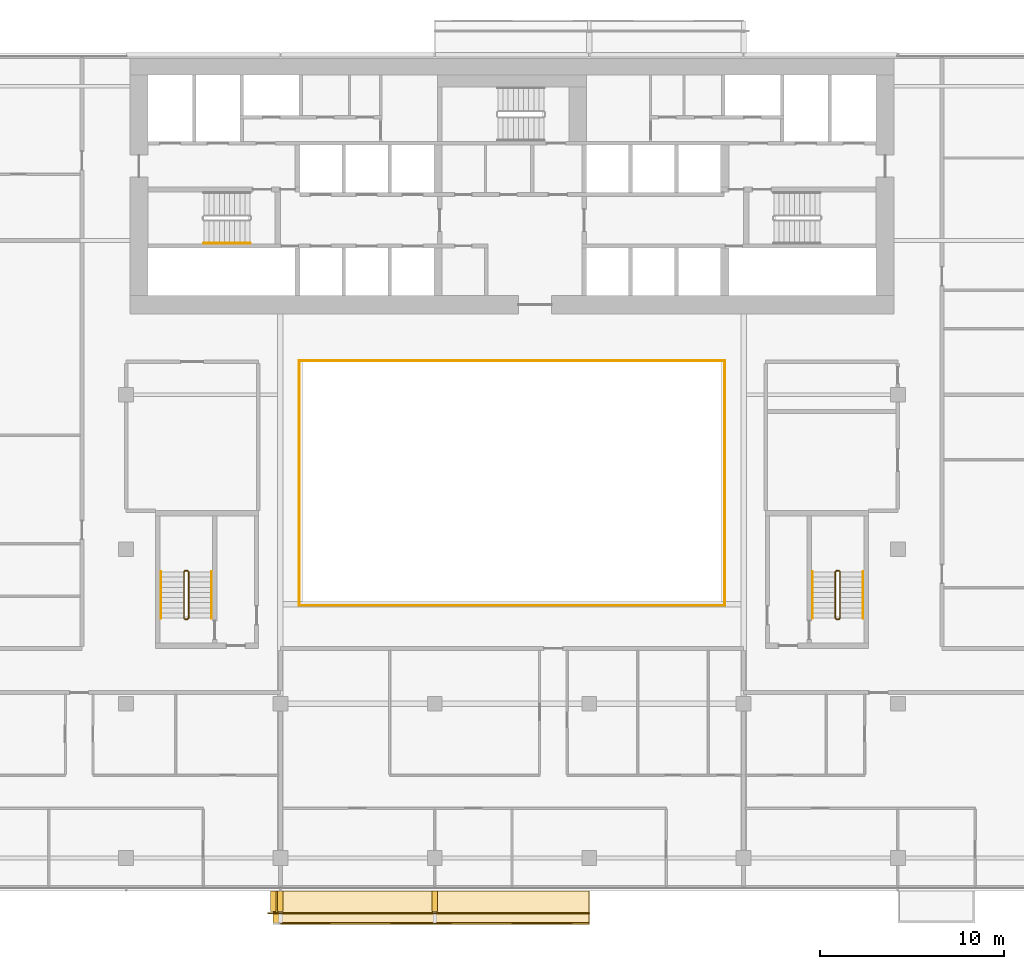
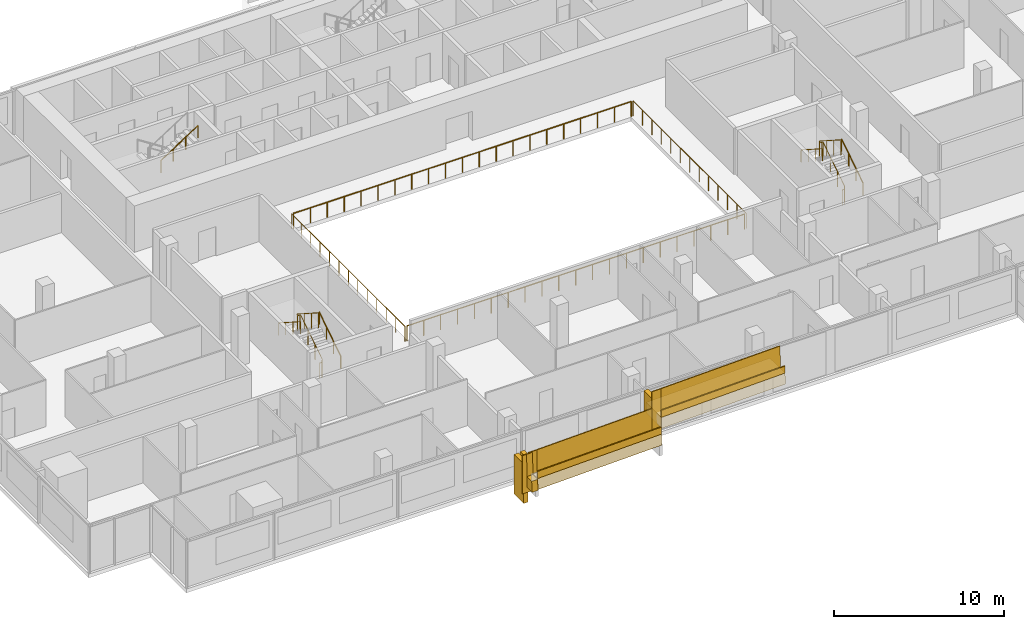
# One storey, part 25 of 26: 17 railings, 8 coverings.
"""IFC4 building model written with IfcOpenShell, lengths in metres."""

from ifc_helpers import new_model, si_unit, direction, frame, origin, origin_2d, place, context, subcontext, project, spatial, polyline, rectangle, circle, outline, extrude, material, layer, layer_set, type_object, element, save


model = new_model("IFC4")

# Units and contexts
model_context = context("Model", 3, precision=1e-05, world=origin(), true_north=direction((0.0, 1.0)))
body_context = subcontext(model_context, "Body", "Model", "MODEL_VIEW")
ifc_project = project(units=[si_unit("LENGTHUNIT", "METRE"), si_unit("AREAUNIT", "SQUARE_METRE"), si_unit("VOLUMEUNIT", "CUBIC_METRE"), si_unit("PLANEANGLEUNIT", "RADIAN"), si_unit("MASSUNIT", "GRAM", prefix="KILO")], contexts=[model_context])

# Site, building, storey
site_placement = place(None, origin())
site = spatial("IfcSite", under=ifc_project, at=site_placement, CompositionType="ELEMENT")
building_placement = place(site_placement, origin())
building = spatial("IfcBuilding", under=site, at=building_placement, Name="Saffron Gate Tower", CompositionType="ELEMENT")
storey_placement = place(building_placement, frame((0.0, 0.0, 120.449951171875)))
storey = spatial("IfcBuildingStorey", under=building, at=storey_placement, Name="L28", CompositionType="ELEMENT", Elevation=120.449951171875)

# Railings
ifc_material_1 = material(Name="Stainless steel and laminated glass", Category="steel")
railing_type_1 = type_object("IfcRailingType", Name="AG1 Atrium edge guard 1100", PredefinedType="GUARDRAIL", material=ifc_material_1)
railing_1_placement = place(storey_placement, frame((76.02001953125, 45.5400390625, 0.0)))
element("IfcRailing", 1, at=railing_1_placement, inside=storey, type_object=railing_type_1, Name="Guard B3-1", PredefinedType="GUARDRAIL", context=body_context, shape_type="SweptSolid", body=[
    extrude(circle(Radius=0.02392578125, at=origin_2d()), frame((0.0, 0.0, 1.076171875), z_axis=(0.0, 1.0, 0.0), x_axis=(-1.0, 0.0, 0.0)), (0.0, 0.0, 1.0), 13.320068359375),
    extrude(circle(Radius=0.02099609375, at=origin_2d()), origin(), (0.0, 0.0, 1.0), 1.052001953125),
    extrude(circle(Radius=0.02099609375, at=origin_2d()), frame((0.0, 1.110107421875, 0.0)), (0.0, 0.0, 1.0), 1.052001953125),
    extrude(circle(Radius=0.02099609375, at=origin_2d()), frame((0.0, 2.219970703125, 0.0)), (0.0, 0.0, 1.0), 1.052001953125),
    extrude(circle(Radius=0.02099609375, at=origin_2d()), frame((0.0, 3.330078125, 0.0)), (0.0, 0.0, 1.0), 1.052001953125),
    extrude(circle(Radius=0.02099609375, at=origin_2d()), frame((0.0, 4.43994140625, 0.0)), (0.0, 0.0, 1.0), 1.052001953125),
    extrude(circle(Radius=0.02099609375, at=origin_2d()), frame((0.0, 5.550048828125, 0.0)), (0.0, 0.0, 1.0), 1.052001953125),
    extrude(circle(Radius=0.02099609375, at=origin_2d()), frame((0.0, 6.66015625, 0.0)), (0.0, 0.0, 1.0), 1.052001953125),
    extrude(circle(Radius=0.02099609375, at=origin_2d()), frame((0.0, 7.77001953125, 0.0)), (0.0, 0.0, 1.0), 1.052001953125),
    extrude(circle(Radius=0.02099609375, at=origin_2d()), frame((0.0, 8.880126953125, 0.0)), (0.0, 0.0, 1.0), 1.052001953125),
    extrude(circle(Radius=0.02099609375, at=origin_2d()), frame((0.0, 9.989990234375, 0.0)), (0.0, 0.0, 1.0), 1.052001953125),
    extrude(circle(Radius=0.02099609375, at=origin_2d()), frame((0.0, 11.10009765625, 0.0)), (0.0, 0.0, 1.0), 1.052001953125),
    extrude(circle(Radius=0.02099609375, at=origin_2d()), frame((0.0, 12.2099609375, 0.0)), (0.0, 0.0, 1.0), 1.052001953125),
    extrude(circle(Radius=0.02099609375, at=origin_2d()), frame((0.0, 13.320068359375, 0.0)), (0.0, 0.0, 1.0), 1.052001953125),
])
railing_2_placement = place(storey_placement, frame((76.139892578125, 58.860107421875, 0.0)))
element("IfcRailing", 2, at=railing_2_placement, inside=storey, type_object=railing_type_1, Name="Guard B3-2", PredefinedType="GUARDRAIL", context=body_context, shape_type="SweptSolid", body=[
    extrude(circle(Radius=0.02392578125, at=origin_2d()), frame((0.0, 0.0, 1.076171875), z_axis=(1.0, 0.0, 0.0), x_axis=(0.0, 1.0, 0.0)), (0.0, 0.0, 1.0), 22.920166015625),
    extrude(circle(Radius=0.02099609375, at=origin_2d()), origin(), (0.0, 0.0, 1.0), 1.052001953125),
    extrude(circle(Radius=0.02099609375, at=origin_2d()), frame((1.14599609375, 0.0, 0.0)), (0.0, 0.0, 1.0), 1.052001953125),
    extrude(circle(Radius=0.02099609375, at=origin_2d()), frame((2.2919921875, 0.0, 0.0)), (0.0, 0.0, 1.0), 1.052001953125),
    extrude(circle(Radius=0.02099609375, at=origin_2d()), frame((3.43798828125, 0.0, 0.0)), (0.0, 0.0, 1.0), 1.052001953125),
    extrude(circle(Radius=0.02099609375, at=origin_2d()), frame((4.583984375, 0.0, 0.0)), (0.0, 0.0, 1.0), 1.052001953125),
    extrude(circle(Radius=0.02099609375, at=origin_2d()), frame((5.72998046875, 0.0, 0.0)), (0.0, 0.0, 1.0), 1.052001953125),
    extrude(circle(Radius=0.02099609375, at=origin_2d()), frame((6.8759765625, 0.0, 0.0)), (0.0, 0.0, 1.0), 1.052001953125),
    extrude(circle(Radius=0.02099609375, at=origin_2d()), frame((8.02197265625, 0.0, 0.0)), (0.0, 0.0, 1.0), 1.052001953125),
    extrude(circle(Radius=0.02099609375, at=origin_2d()), frame((9.16796875, 0.0, 0.0)), (0.0, 0.0, 1.0), 1.052001953125),
    extrude(circle(Radius=0.02099609375, at=origin_2d()), frame((10.31396484375, 0.0, 0.0)), (0.0, 0.0, 1.0), 1.052001953125),
    extrude(circle(Radius=0.02099609375, at=origin_2d()), frame((11.4599609375, 0.0, 0.0)), (0.0, 0.0, 1.0), 1.052001953125),
    extrude(circle(Radius=0.02099609375, at=origin_2d()), frame((12.606201171875, 0.0, 0.0)), (0.0, 0.0, 1.0), 1.052001953125),
    extrude(circle(Radius=0.02099609375, at=origin_2d()), frame((13.752197265625, 0.0, 0.0)), (0.0, 0.0, 1.0), 1.052001953125),
    extrude(circle(Radius=0.02099609375, at=origin_2d()), frame((14.898193359375, 0.0, 0.0)), (0.0, 0.0, 1.0), 1.052001953125),
    extrude(circle(Radius=0.02099609375, at=origin_2d()), frame((16.044189453125, 0.0, 0.0)), (0.0, 0.0, 1.0), 1.052001953125),
    extrude(circle(Radius=0.02099609375, at=origin_2d()), frame((17.190185546875, 0.0, 0.0)), (0.0, 0.0, 1.0), 1.052001953125),
    extrude(circle(Radius=0.02099609375, at=origin_2d()), frame((18.336181640625, 0.0, 0.0)), (0.0, 0.0, 1.0), 1.052001953125),
    extrude(circle(Radius=0.02099609375, at=origin_2d()), frame((19.482177734375, 0.0, 0.0)), (0.0, 0.0, 1.0), 1.052001953125),
    extrude(circle(Radius=0.02099609375, at=origin_2d()), frame((20.628173828125, 0.0, 0.0)), (0.0, 0.0, 1.0), 1.052001953125),
    extrude(circle(Radius=0.02099609375, at=origin_2d()), frame((21.774169921875, 0.0, 0.0)), (0.0, 0.0, 1.0), 1.052001953125),
    extrude(circle(Radius=0.02099609375, at=origin_2d()), frame((22.920166015625, 0.0, 0.0)), (0.0, 0.0, 1.0), 1.052001953125),
])
railing_3_placement = place(storey_placement, frame((99.179931640625, 58.860107421875, 0.0)))
element("IfcRailing", 3, at=railing_3_placement, inside=storey, type_object=railing_type_1, Name="Guard B3-3", PredefinedType="GUARDRAIL", context=body_context, shape_type="SweptSolid", body=[
    extrude(circle(Radius=0.02392578125, at=origin_2d()), frame((0.0, 0.0, 1.076171875), z_axis=(0.0, -1.0, 0.0), x_axis=(1.0, 0.0, 0.0)), (0.0, 0.0, 1.0), 13.320068359375),
    extrude(circle(Radius=0.02099609375, at=origin_2d()), origin(), (0.0, 0.0, 1.0), 1.052001953125),
    extrude(circle(Radius=0.02099609375, at=origin_2d()), frame((0.0, -1.110107421875, 0.0)), (0.0, 0.0, 1.0), 1.052001953125),
    extrude(circle(Radius=0.02099609375, at=origin_2d()), frame((0.0, -2.219970703125, 0.0)), (0.0, 0.0, 1.0), 1.052001953125),
    extrude(circle(Radius=0.02099609375, at=origin_2d()), frame((0.0, -3.330078125, 0.0)), (0.0, 0.0, 1.0), 1.052001953125),
    extrude(circle(Radius=0.02099609375, at=origin_2d()), frame((0.0, -4.43994140625, 0.0)), (0.0, 0.0, 1.0), 1.052001953125),
    extrude(circle(Radius=0.02099609375, at=origin_2d()), frame((0.0, -5.550048828125, 0.0)), (0.0, 0.0, 1.0), 1.052001953125),
    extrude(circle(Radius=0.02099609375, at=origin_2d()), frame((0.0, -6.66015625, 0.0)), (0.0, 0.0, 1.0), 1.052001953125),
    extrude(circle(Radius=0.02099609375, at=origin_2d()), frame((0.0, -7.77001953125, 0.0)), (0.0, 0.0, 1.0), 1.052001953125),
    extrude(circle(Radius=0.02099609375, at=origin_2d()), frame((0.0, -8.880126953125, 0.0)), (0.0, 0.0, 1.0), 1.052001953125),
    extrude(circle(Radius=0.02099609375, at=origin_2d()), frame((0.0, -9.989990234375, 0.0)), (0.0, 0.0, 1.0), 1.052001953125),
    extrude(circle(Radius=0.02099609375, at=origin_2d()), frame((0.0, -11.10009765625, 0.0)), (0.0, 0.0, 1.0), 1.052001953125),
    extrude(circle(Radius=0.02099609375, at=origin_2d()), frame((0.0, -12.2099609375, 0.0)), (0.0, 0.0, 1.0), 1.052001953125),
    extrude(circle(Radius=0.02099609375, at=origin_2d()), frame((0.0, -13.320068359375, 0.0)), (0.0, 0.0, 1.0), 1.052001953125),
])
railing_4_placement = place(storey_placement, frame((99.06005859375, 45.5400390625, 0.0)))
element("IfcRailing", 4, at=railing_4_placement, inside=storey, type_object=railing_type_1, Name="Guard B3-4", PredefinedType="GUARDRAIL", context=body_context, shape_type="SweptSolid", body=[
    extrude(circle(Radius=0.02392578125, at=origin_2d()), frame((0.0, 0.0, 1.076171875), z_axis=(-1.0, 0.0, 0.0), x_axis=(0.0, -1.0, 0.0)), (0.0, 0.0, 1.0), 22.920166015625),
    extrude(circle(Radius=0.02099609375, at=origin_2d()), origin(), (0.0, 0.0, 1.0), 1.052001953125),
    extrude(circle(Radius=0.02099609375, at=origin_2d()), frame((-1.14599609375, 0.0, 0.0)), (0.0, 0.0, 1.0), 1.052001953125),
    extrude(circle(Radius=0.02099609375, at=origin_2d()), frame((-2.2919921875, 0.0, 0.0)), (0.0, 0.0, 1.0), 1.052001953125),
    extrude(circle(Radius=0.02099609375, at=origin_2d()), frame((-3.43798828125, 0.0, 0.0)), (0.0, 0.0, 1.0), 1.052001953125),
    extrude(circle(Radius=0.02099609375, at=origin_2d()), frame((-4.583984375, 0.0, 0.0)), (0.0, 0.0, 1.0), 1.052001953125),
    extrude(circle(Radius=0.02099609375, at=origin_2d()), frame((-5.72998046875, 0.0, 0.0)), (0.0, 0.0, 1.0), 1.052001953125),
    extrude(circle(Radius=0.02099609375, at=origin_2d()), frame((-6.8759765625, 0.0, 0.0)), (0.0, 0.0, 1.0), 1.052001953125),
    extrude(circle(Radius=0.02099609375, at=origin_2d()), frame((-8.02197265625, 0.0, 0.0)), (0.0, 0.0, 1.0), 1.052001953125),
    extrude(circle(Radius=0.02099609375, at=origin_2d()), frame((-9.16796875, 0.0, 0.0)), (0.0, 0.0, 1.0), 1.052001953125),
    extrude(circle(Radius=0.02099609375, at=origin_2d()), frame((-10.31396484375, 0.0, 0.0)), (0.0, 0.0, 1.0), 1.052001953125),
    extrude(circle(Radius=0.02099609375, at=origin_2d()), frame((-11.4599609375, 0.0, 0.0)), (0.0, 0.0, 1.0), 1.052001953125),
    extrude(circle(Radius=0.02099609375, at=origin_2d()), frame((-12.606201171875, 0.0, 0.0)), (0.0, 0.0, 1.0), 1.052001953125),
    extrude(circle(Radius=0.02099609375, at=origin_2d()), frame((-13.752197265625, 0.0, 0.0)), (0.0, 0.0, 1.0), 1.052001953125),
    extrude(circle(Radius=0.02099609375, at=origin_2d()), frame((-14.898193359375, 0.0, 0.0)), (0.0, 0.0, 1.0), 1.052001953125),
    extrude(circle(Radius=0.02099609375, at=origin_2d()), frame((-16.044189453125, 0.0, 0.0)), (0.0, 0.0, 1.0), 1.052001953125),
    extrude(circle(Radius=0.02099609375, at=origin_2d()), frame((-17.190185546875, 0.0, 0.0)), (0.0, 0.0, 1.0), 1.052001953125),
    extrude(circle(Radius=0.02099609375, at=origin_2d()), frame((-18.336181640625, 0.0, 0.0)), (0.0, 0.0, 1.0), 1.052001953125),
    extrude(circle(Radius=0.02099609375, at=origin_2d()), frame((-19.482177734375, 0.0, 0.0)), (0.0, 0.0, 1.0), 1.052001953125),
    extrude(circle(Radius=0.02099609375, at=origin_2d()), frame((-20.628173828125, 0.0, 0.0)), (0.0, 0.0, 1.0), 1.052001953125),
    extrude(circle(Radius=0.02099609375, at=origin_2d()), frame((-21.774169921875, 0.0, 0.0)), (0.0, 0.0, 1.0), 1.052001953125),
    extrude(circle(Radius=0.02099609375, at=origin_2d()), frame((-22.920166015625, 0.0, 0.0)), (0.0, 0.0, 1.0), 1.052001953125),
])
railing_type_2 = type_object("IfcRailingType", Name="CR1 Stair guard 1100", PredefinedType="GUARDRAIL", material=ifc_material_1)
railing_5_placement = place(storey_placement, frame((69.800048828125, 44.800048828125, 0.0)))
element("IfcRailing", 5, at=railing_5_placement, inside=storey, type_object=railing_type_2, Name="L28 ST-D stair guard 1", PredefinedType="GUARDRAIL", context=body_context, shape_type="SweptSolid", body=[
    extrude(circle(Radius=0.02392578125, at=origin_2d()), frame((0.0, 0.0, 1.076171875), z_axis=(1.0, 0.0, 0.0), x_axis=(0.0, 1.0, 0.0)), (0.0, 0.0, 1.0), 0.14990234375),
    extrude(circle(Radius=0.02392578125, at=origin_2d()), frame((0.14990234375, 0.0, 1.076171875), z_axis=(0.258847668887, 0.258847668887, 0.930588936439), x_axis=(-0.707106781187, 0.707106781187, 0.0)), (0.0, 0.0, 1.0), 0.193359375),
    extrude(circle(Radius=0.02392578125, at=origin_2d()), frame((0.199951171875, 0.050048828125, 1.255859375), z_axis=(0.0, 0.841162588446, 0.540782303519), x_axis=(-1.0, 0.0, 0.0)), (0.0, 0.0, 1.0), 2.995849609375),
    extrude(circle(Radius=0.02392578125, at=origin_2d()), frame((0.199951171875, 2.570068359375, 2.8759765625), z_axis=(-0.708833529934, 0.705375805398, 0.0), x_axis=(-0.705375805398, -0.708833529934, 0.0)), (0.0, 0.0, 1.0), 0.070556640625),
    extrude(circle(Radius=0.02392578125, at=origin_2d()), frame((0.14990234375, 2.619873046875, 2.8759765625), z_axis=(-1.0, 0.0, 0.0), x_axis=(0.0, -1.0, 0.0)), (0.0, 0.0, 1.0), 0.14990234375),
    extrude(circle(Radius=0.02392578125, at=origin_2d()), frame((0.0, 2.619873046875, 2.8759765625), z_axis=(-0.258932105505, -0.257669022063, 0.930892496375), x_axis=(0.705375805398, -0.708833529934, 0.0)), (0.0, 0.0, 1.0), 0.193359375),
    extrude(circle(Radius=0.02392578125, at=origin_2d()), frame((-0.050048828125, 2.570068359375, 3.05615234375), z_axis=(0.0, -0.841162588446, 0.540782303519), x_axis=(1.0, 0.0, 0.0)), (0.0, 0.0, 1.0), 2.995849609375),
    extrude(circle(Radius=0.02099609375, at=origin_2d()), origin(), (0.0, 0.0, 1.0), 1.052001953125),
    extrude(circle(Radius=0.02099609375, at=origin_2d()), frame((0.14990234375, 0.0, 0.0)), (0.0, 0.0, 1.0), 1.052001953125),
    extrude(circle(Radius=0.02099609375, at=origin_2d()), frame((0.199951171875, 0.050048828125, 0.179931640625)), (0.0, 0.0, 1.0), 1.052001953125),
    extrude(circle(Radius=0.02099609375, at=origin_2d()), frame((0.199951171875, 0.89013671875, 0.719970703125)), (0.0, 0.0, 1.0), 1.052001953125),
    extrude(circle(Radius=0.02099609375, at=origin_2d()), frame((0.199951171875, 1.72998046875, 1.260009765625)), (0.0, 0.0, 1.0), 1.052001953125),
    extrude(circle(Radius=0.02099609375, at=origin_2d()), frame((0.199951171875, 2.570068359375, 1.800048828125)), (0.0, 0.0, 1.0), 1.052001953125),
    extrude(circle(Radius=0.02099609375, at=origin_2d()), frame((0.14990234375, 2.619873046875, 1.800048828125)), (0.0, 0.0, 1.0), 1.052001953125),
    extrude(circle(Radius=0.02099609375, at=origin_2d()), frame((0.0, 2.619873046875, 1.800048828125)), (0.0, 0.0, 1.0), 1.052001953125),
    extrude(circle(Radius=0.02099609375, at=origin_2d()), frame((-0.050048828125, 2.570068359375, 1.97998046875)), (0.0, 0.0, 1.0), 1.052001953125),
    extrude(circle(Radius=0.02099609375, at=origin_2d()), frame((-0.050048828125, 1.72998046875, 2.52001953125)), (0.0, 0.0, 1.0), 1.052001953125),
    extrude(circle(Radius=0.02099609375, at=origin_2d()), frame((-0.050048828125, 0.89013671875, 3.06005859375)), (0.0, 0.0, 1.0), 1.052001953125),
    extrude(circle(Radius=0.02099609375, at=origin_2d()), frame((-0.050048828125, 0.050048828125, 3.60009765625)), (0.0, 0.0, 1.0), 1.052001953125),
])
railing_6_placement = place(storey_placement, frame((105.25, 44.800048828125, 0.0)))
element("IfcRailing", 6, at=railing_6_placement, inside=storey, type_object=railing_type_2, Name="L28 ST-E stair guard 1", PredefinedType="GUARDRAIL", context=body_context, shape_type="SweptSolid", body=[
    extrude(circle(Radius=0.02392578125, at=origin_2d()), frame((0.0, 0.0, 1.076171875), z_axis=(1.0, 0.0, 0.0), x_axis=(0.0, 1.0, 0.0)), (0.0, 0.0, 1.0), 0.14990234375),
    extrude(circle(Radius=0.02392578125, at=origin_2d()), frame((0.14990234375, 0.0, 1.076171875), z_axis=(0.258847668887, 0.258847668887, 0.930588936439), x_axis=(-0.707106781187, 0.707106781187, 0.0)), (0.0, 0.0, 1.0), 0.193359375),
    extrude(circle(Radius=0.02392578125, at=origin_2d()), frame((0.199951171875, 0.050048828125, 1.255859375), z_axis=(0.0, 0.841162588446, 0.540782303519), x_axis=(-1.0, 0.0, 0.0)), (0.0, 0.0, 1.0), 2.995849609375),
    extrude(circle(Radius=0.02392578125, at=origin_2d()), frame((0.199951171875, 2.570068359375, 2.8759765625), z_axis=(-0.708833529934, 0.705375805398, 0.0), x_axis=(-0.705375805398, -0.708833529934, 0.0)), (0.0, 0.0, 1.0), 0.070556640625),
    extrude(circle(Radius=0.02392578125, at=origin_2d()), frame((0.14990234375, 2.619873046875, 2.8759765625), z_axis=(-1.0, 0.0, 0.0), x_axis=(0.0, -1.0, 0.0)), (0.0, 0.0, 1.0), 0.14990234375),
    extrude(circle(Radius=0.02392578125, at=origin_2d()), frame((0.0, 2.619873046875, 2.8759765625), z_axis=(-0.258932105505, -0.257669022063, 0.930892496375), x_axis=(0.705375805398, -0.708833529934, 0.0)), (0.0, 0.0, 1.0), 0.193359375),
    extrude(circle(Radius=0.02392578125, at=origin_2d()), frame((-0.050048828125, 2.570068359375, 3.05615234375), z_axis=(0.0, -0.841162588446, 0.540782303519), x_axis=(1.0, 0.0, 0.0)), (0.0, 0.0, 1.0), 2.995849609375),
    extrude(circle(Radius=0.02099609375, at=origin_2d()), origin(), (0.0, 0.0, 1.0), 1.052001953125),
    extrude(circle(Radius=0.02099609375, at=origin_2d()), frame((0.14990234375, 0.0, 0.0)), (0.0, 0.0, 1.0), 1.052001953125),
    extrude(circle(Radius=0.02099609375, at=origin_2d()), frame((0.199951171875, 0.050048828125, 0.179931640625)), (0.0, 0.0, 1.0), 1.052001953125),
    extrude(circle(Radius=0.02099609375, at=origin_2d()), frame((0.199951171875, 0.89013671875, 0.719970703125)), (0.0, 0.0, 1.0), 1.052001953125),
    extrude(circle(Radius=0.02099609375, at=origin_2d()), frame((0.199951171875, 1.72998046875, 1.260009765625)), (0.0, 0.0, 1.0), 1.052001953125),
    extrude(circle(Radius=0.02099609375, at=origin_2d()), frame((0.199951171875, 2.570068359375, 1.800048828125)), (0.0, 0.0, 1.0), 1.052001953125),
    extrude(circle(Radius=0.02099609375, at=origin_2d()), frame((0.14990234375, 2.619873046875, 1.800048828125)), (0.0, 0.0, 1.0), 1.052001953125),
    extrude(circle(Radius=0.02099609375, at=origin_2d()), frame((0.0, 2.619873046875, 1.800048828125)), (0.0, 0.0, 1.0), 1.052001953125),
    extrude(circle(Radius=0.02099609375, at=origin_2d()), frame((-0.050048828125, 2.570068359375, 1.97998046875)), (0.0, 0.0, 1.0), 1.052001953125),
    extrude(circle(Radius=0.02099609375, at=origin_2d()), frame((-0.050048828125, 1.72998046875, 2.52001953125)), (0.0, 0.0, 1.0), 1.052001953125),
    extrude(circle(Radius=0.02099609375, at=origin_2d()), frame((-0.050048828125, 0.89013671875, 3.06005859375)), (0.0, 0.0, 1.0), 1.052001953125),
    extrude(circle(Radius=0.02099609375, at=origin_2d()), frame((-0.050048828125, 0.050048828125, 3.60009765625)), (0.0, 0.0, 1.0), 1.052001953125),
])
ifc_material_2 = material(Name="Stainless steel", Category="steel")
railing_type_3 = type_object("IfcRailingType", Name="CR2 Stair handrail 900", PredefinedType="HANDRAIL", material=ifc_material_2)
railing_7_placement = place(storey_placement, frame((70.830078125, 65.25, 1.97998046875)))
element("IfcRailing", 7, at=railing_7_placement, inside=storey, type_object=railing_type_3, Name="L28 ST-A stair handrail 2", PredefinedType="HANDRAIL", context=body_context, shape_type="SweptSolid", body=[
    extrude(circle(Radius=0.02392578125, at=origin_2d()), frame((0.0, 0.0, 0.8759765625), z_axis=(0.841162588446, 0.0, 0.540782303519), x_axis=(0.0, 1.0, 0.0)), (0.0, 0.0, 1.0), 2.995849609375),
    extrude(circle(Radius=0.02099609375, at=origin_2d()), origin(), (0.0, 0.0, 1.0), 0.851806640625),
    extrude(circle(Radius=0.02099609375, at=origin_2d()), frame((0.840087890625, 0.0, 0.5400390625)), (0.0, 0.0, 1.0), 0.851806640625),
    extrude(circle(Radius=0.02099609375, at=origin_2d()), frame((1.679931640625, 0.0, 1.080078125)), (0.0, 0.0, 1.0), 0.851806640625),
    extrude(circle(Radius=0.02099609375, at=origin_2d()), frame((2.52001953125, 0.0, 1.6201171875)), (0.0, 0.0, 1.0), 0.851806640625),
])
railing_8_placement = place(storey_placement, frame((71.25, 44.85009765625, 0.179931640625)))
element("IfcRailing", 8, at=railing_8_placement, inside=storey, type_object=railing_type_3, Name="L28 ST-D stair handrail 1", PredefinedType="HANDRAIL", context=body_context, shape_type="SweptSolid", body=[
    extrude(circle(Radius=0.02392578125, at=origin_2d()), frame((0.0, 0.0, 0.8759765625), z_axis=(0.0, 0.841162588446, 0.540782303519), x_axis=(-1.0, 0.0, 0.0)), (0.0, 0.0, 1.0), 2.995849609375),
    extrude(circle(Radius=0.02099609375, at=origin_2d()), origin(), (0.0, 0.0, 1.0), 0.851806640625),
    extrude(circle(Radius=0.02099609375, at=origin_2d()), frame((0.0, 0.840087890625, 0.5400390625)), (0.0, 0.0, 1.0), 0.851806640625),
    extrude(circle(Radius=0.02099609375, at=origin_2d()), frame((0.0, 1.679931640625, 1.080078125)), (0.0, 0.0, 1.0), 0.851806640625),
    extrude(circle(Radius=0.02099609375, at=origin_2d()), frame((0.0, 2.52001953125, 1.6201171875)), (0.0, 0.0, 1.0), 0.851806640625),
])
railing_9_placement = place(storey_placement, frame((68.5, 47.3701171875, 1.97998046875)))
element("IfcRailing", 9, at=railing_9_placement, inside=storey, type_object=railing_type_3, Name="L28 ST-D stair handrail 2", PredefinedType="HANDRAIL", context=body_context, shape_type="SweptSolid", body=[
    extrude(circle(Radius=0.02392578125, at=origin_2d()), frame((0.0, 0.0, 0.8759765625), z_axis=(0.0, -0.841162588446, 0.540782303519), x_axis=(1.0, 0.0, 0.0)), (0.0, 0.0, 1.0), 2.995849609375),
    extrude(circle(Radius=0.02099609375, at=origin_2d()), origin(), (0.0, 0.0, 1.0), 0.851806640625),
    extrude(circle(Radius=0.02099609375, at=origin_2d()), frame((0.0, -0.840087890625, 0.5400390625)), (0.0, 0.0, 1.0), 0.851806640625),
    extrude(circle(Radius=0.02099609375, at=origin_2d()), frame((0.0, -1.679931640625, 1.080078125)), (0.0, 0.0, 1.0), 0.851806640625),
    extrude(circle(Radius=0.02099609375, at=origin_2d()), frame((0.0, -2.52001953125, 1.6201171875)), (0.0, 0.0, 1.0), 0.851806640625),
])
railing_10_placement = place(storey_placement, frame((106.699951171875, 44.85009765625, 0.179931640625)))
element("IfcRailing", 10, at=railing_10_placement, inside=storey, type_object=railing_type_3, Name="L28 ST-E stair handrail 1", PredefinedType="HANDRAIL", context=body_context, shape_type="SweptSolid", body=[
    extrude(circle(Radius=0.02392578125, at=origin_2d()), frame((0.0, 0.0, 0.8759765625), z_axis=(0.0, 0.841162588446, 0.540782303519), x_axis=(-1.0, 0.0, 0.0)), (0.0, 0.0, 1.0), 2.995849609375),
    extrude(circle(Radius=0.02099609375, at=origin_2d()), origin(), (0.0, 0.0, 1.0), 0.851806640625),
    extrude(circle(Radius=0.02099609375, at=origin_2d()), frame((0.0, 0.840087890625, 0.5400390625)), (0.0, 0.0, 1.0), 0.851806640625),
    extrude(circle(Radius=0.02099609375, at=origin_2d()), frame((0.0, 1.679931640625, 1.080078125)), (0.0, 0.0, 1.0), 0.851806640625),
    extrude(circle(Radius=0.02099609375, at=origin_2d()), frame((0.0, 2.52001953125, 1.6201171875)), (0.0, 0.0, 1.0), 0.851806640625),
])
railing_11_placement = place(storey_placement, frame((103.949951171875, 47.3701171875, 1.97998046875)))
element("IfcRailing", 11, at=railing_11_placement, inside=storey, type_object=railing_type_3, Name="L28 ST-E stair handrail 2", PredefinedType="HANDRAIL", context=body_context, shape_type="SweptSolid", body=[
    extrude(circle(Radius=0.02392578125, at=origin_2d()), frame((0.0, 0.0, 0.8759765625), z_axis=(0.0, -0.841162588446, 0.540782303519), x_axis=(1.0, 0.0, 0.0)), (0.0, 0.0, 1.0), 2.995849609375),
    extrude(circle(Radius=0.02099609375, at=origin_2d()), origin(), (0.0, 0.0, 1.0), 0.851806640625),
    extrude(circle(Radius=0.02099609375, at=origin_2d()), frame((0.0, -0.840087890625, 0.5400390625)), (0.0, 0.0, 1.0), 0.851806640625),
    extrude(circle(Radius=0.02099609375, at=origin_2d()), frame((0.0, -1.679931640625, 1.080078125)), (0.0, 0.0, 1.0), 0.851806640625),
    extrude(circle(Radius=0.02099609375, at=origin_2d()), frame((0.0, -2.52001953125, 1.6201171875)), (0.0, 0.0, 1.0), 0.851806640625),
])

# Coverings
ifc_material_3 = material(Name="Timber, thermally modified ash", Category="wood")
ifc_layer_1 = layer(ifc_material_3, 0.800048828125)
ifc_layer_set_1 = layer_set([ifc_layer_1], Name="LD1 ledge timber")
covering_type_1 = type_object("IfcCoveringType", Name="LD1 ledge timber", PredefinedType="CLADDING", material=ifc_layer_set_1)
covering_1_placement = place(storey_placement, frame((74.60009765625, 30.0, 0.975341796875), z_axis=(-0.028681724025, 0.0, 0.999588594726), x_axis=(0.999588594726, 0.0, 0.028681724025)))
element("IfcCovering", 12, at=covering_1_placement, inside=storey, type_object=covering_type_1, Name="LEDGE", PredefinedType="CLADDING", context=body_context, shape_type="SweptSolid", body=[
    extrude(outline(polyline([(0.0, 0.0), (0.40006693339621563, 0.0), (0.40006693339621563, -1.8000488281250004), (0.0, -1.8000488281250004), (0.0, 0.0)])), origin(), (0.0, 0.0, -1.0), 0.800048828125),
])
covering_2_placement = place(storey_placement, frame((75.0, 30.0, 1.0439453125), z_axis=(-0.028791175352, 0.0, 0.999585448184), x_axis=(0.999585448184, 0.0, 0.028791175352)))
element("IfcCovering", 13, at=covering_2_placement, inside=storey, type_object=covering_type_1, Name="LEDGE", PredefinedType="CLADDING", context=body_context, shape_type="SweptSolid", body=[
    extrude(outline(polyline([(0.0, 0.0), (8.403385982666892, 0.0), (8.403385982666892, -1.800048828125), (0.0, -1.800048828125), (0.0, 0.0)])), origin(), (0.0, 0.0, -1.0), 0.800048828125),
])
covering_3_placement = place(storey_placement, frame((83.39990234375, 30.0, 2.486328125), z_axis=(-0.028790339263, 0.0, 0.999585472266), x_axis=(0.999585472266, 0.0, 0.028790339263)))
element("IfcCovering", 14, at=covering_3_placement, inside=storey, type_object=covering_type_1, Name="LEDGE", PredefinedType="CLADDING", context=body_context, shape_type="SweptSolid", body=[
    extrude(outline(polyline([(0.0, 0.0), (8.403630022085892, 0.0), (8.403630022085892, -1.800048828125), (0.0, -1.800048828125), (0.0, 0.0)])), origin(), (0.0, 0.0, -1.0), 0.800048828125),
])
ifc_layer_2 = layer(ifc_material_3, 0.080078125)
ifc_layer_set_2 = layer_set([ifc_layer_2], Name="LD2 ledge planter trough")
covering_type_2 = type_object("IfcCoveringType", Name="LD2 ledge planter trough", PredefinedType="CLADDING", material=ifc_layer_set_2)
covering_4_placement = place(storey_placement, frame((75.0, 28.199951171875, 1.0439453125), z_axis=(0.0, -1.0, 0.0), x_axis=(0.999585448184, 0.0, 0.028791175352)))
element("IfcCovering", 15, at=covering_4_placement, inside=storey, type_object=covering_type_2, Name="LEDGE planter trough", PredefinedType="CLADDING", context=body_context, shape_type="SweptSolid", body=[
    extrude(outline(polyline([(0.0, 0.0), (8.403385982666892, 0.0), (8.417781570342743, 0.49979272409216496), (0.014395587675851172, 0.4997927240921649), (0.0, 0.0)])), origin(), (0.0, 0.0, -1.0), 0.080078125),
])
covering_5_placement = place(storey_placement, frame((83.39990234375, 28.199951171875, 2.486328125), z_axis=(0.0, -1.0, 0.0), x_axis=(0.999585472266, 0.0, 0.028790339263)))
element("IfcCovering", 16, at=covering_5_placement, inside=storey, type_object=covering_type_2, Name="LEDGE planter trough", PredefinedType="CLADDING", context=body_context, shape_type="SweptSolid", body=[
    extrude(outline(polyline([(0.0, 0.0), (8.403630022085892, 0.0), (8.418025191717298, 0.4997927361329725), (0.014395169631405694, 0.4997927361329725), (0.0, 0.0)])), origin(), (0.0, 0.0, -1.0), 0.080078125),
])
ifc_layer_3 = layer(ifc_material_3, 0.300048828125)
ifc_layer_set_3 = layer_set([ifc_layer_3], Name="LD3 ledge riser fin")
covering_type_3 = type_object("IfcCoveringType", Name="LD3 ledge riser fin", PredefinedType="CLADDING", material=ifc_layer_set_3)
covering_6_placement = place(storey_placement, frame((74.60009765625, 29.43994140625, -0.968017578125), z_axis=(0.0, 0.0, 1.0), x_axis=(1.0, 0.0, 0.0)))
element("IfcCovering", 17, at=covering_6_placement, inside=storey, type_object=covering_type_3, Name="LEDGE riser fin", PredefinedType="CLADDING", context=body_context, shape_type="SweptSolid", body=[
    extrude(rectangle(XDim=0.300048828125, YDim=1.1201171875, at=origin_2d()), origin(), (0.0, 0.0, 1.0), 2.84326171875),
])
covering_7_placement = place(storey_placement, frame((75.0, 29.43994140625, 0.18701171875), z_axis=(0.0, 0.0, 1.0), x_axis=(1.0, 0.0, 0.0)))
element("IfcCovering", 18, at=covering_7_placement, inside=storey, type_object=covering_type_3, Name="LEDGE riser fin", PredefinedType="CLADDING", context=body_context, shape_type="SweptSolid", body=[
    extrude(rectangle(XDim=0.300048828125, YDim=1.1201171875, at=origin_2d()), origin(), (0.0, 0.0, 1.0), 1.757080078125),
])
covering_8_placement = place(storey_placement, frame((83.39990234375, 29.43994140625, 0.48583984375), z_axis=(0.0, 0.0, 1.0), x_axis=(1.0, 0.0, 0.0)))
element("IfcCovering", 19, at=covering_8_placement, inside=storey, type_object=covering_type_3, Name="LEDGE riser fin", PredefinedType="CLADDING", context=body_context, shape_type="SweptSolid", body=[
    extrude(rectangle(XDim=0.300048828125, YDim=1.1201171875, at=origin_2d()), origin(), (0.0, 0.0, 1.0), 2.900390625),
])

# Railings
railing_type_4 = type_object("IfcRailingType", Name="LG1 ledge balustrade", PredefinedType="BALUSTRADE", material=ifc_material_3)
railing_12_placement = place(storey_placement, frame((74.60009765625, 28.800048828125, 0.975341796875)))
element("IfcRailing", 20, at=railing_12_placement, inside=storey, type_object=railing_type_4, Name="LEDGE BALUSTRADE", PredefinedType="BALUSTRADE", context=body_context, shape_type="SweptSolid", body=[
    extrude(rectangle(XDim=0.06005859375, YDim=1.60009765625, at=origin_2d()), frame((0.0, 0.0, 0.800048828125), z_axis=(0.999588594726, 0.0, 0.028681724025), x_axis=(0.0, 1.0, 0.0)), (0.0, 0.0, 1.0), 0.400146484375),
])
railing_13_placement = place(storey_placement, frame((74.300048828125, 28.800048828125, -0.16796875)))
element("IfcRailing", 21, at=railing_13_placement, inside=storey, type_object=railing_type_4, Name="LEDGE BALUSTRADE", PredefinedType="BALUSTRADE", context=body_context, shape_type="SweptSolid", body=[
    extrude(rectangle(XDim=0.06005859375, YDim=2.7431640625, at=origin_2d()), frame((0.0, 0.0, 1.37158203125), z_axis=(1.0, 0.0, 0.0), x_axis=(0.0, 1.0, 0.0)), (0.0, 0.0, 1.0), 0.599853515625),
])
railing_14_placement = place(storey_placement, frame((75.0, 28.800048828125, 1.0439453125)))
element("IfcRailing", 22, at=railing_14_placement, inside=storey, type_object=railing_type_4, Name="LEDGE BALUSTRADE", PredefinedType="BALUSTRADE", context=body_context, shape_type="SweptSolid", body=[
    extrude(rectangle(XDim=0.06005859375, YDim=1.60009765625, at=origin_2d()), frame((0.0, 0.0, 0.800048828125), z_axis=(0.999585448184, 0.0, 0.028791175352), x_axis=(0.0, 1.0, 0.0)), (0.0, 0.0, 1.0), 8.4033203125),
])
railing_15_placement = place(storey_placement, frame((74.699951171875, 28.800048828125, 0.98681640625)))
element("IfcRailing", 23, at=railing_15_placement, inside=storey, type_object=railing_type_4, Name="LEDGE BALUSTRADE", PredefinedType="BALUSTRADE", context=body_context, shape_type="SweptSolid", body=[
    extrude(rectangle(XDim=0.06005859375, YDim=1.6572265625, at=origin_2d()), frame((0.0, 0.0, 0.82861328125), z_axis=(1.0, 0.0, 0.0), x_axis=(0.0, 1.0, 0.0)), (0.0, 0.0, 1.0), 0.60009765625),
])
railing_16_placement = place(storey_placement, frame((83.39990234375, 28.800048828125, 2.486328125)))
element("IfcRailing", 24, at=railing_16_placement, inside=storey, type_object=railing_type_4, Name="LEDGE BALUSTRADE", PredefinedType="BALUSTRADE", context=body_context, shape_type="SweptSolid", body=[
    extrude(rectangle(XDim=0.06005859375, YDim=1.60009765625, at=origin_2d()), frame((0.0, 0.0, 0.800048828125), z_axis=(0.999585472266, 0.0, 0.028790339263), x_axis=(0.0, 1.0, 0.0)), (0.0, 0.0, 1.0), 8.403564453125),
])
railing_17_placement = place(storey_placement, frame((83.10009765625, 28.800048828125, 1.285888671875)))
element("IfcRailing", 25, at=railing_17_placement, inside=storey, type_object=railing_type_4, Name="LEDGE BALUSTRADE", PredefinedType="BALUSTRADE", context=body_context, shape_type="SweptSolid", body=[
    extrude(rectangle(XDim=0.06005859375, YDim=2.80029296875, at=origin_2d()), frame((0.0, 0.0, 1.400146484375), z_axis=(1.0, 0.0, 0.0), x_axis=(0.0, 1.0, 0.0)), (0.0, 0.0, 1.0), 0.599853515625),
])

save(model, "model.ifc")
